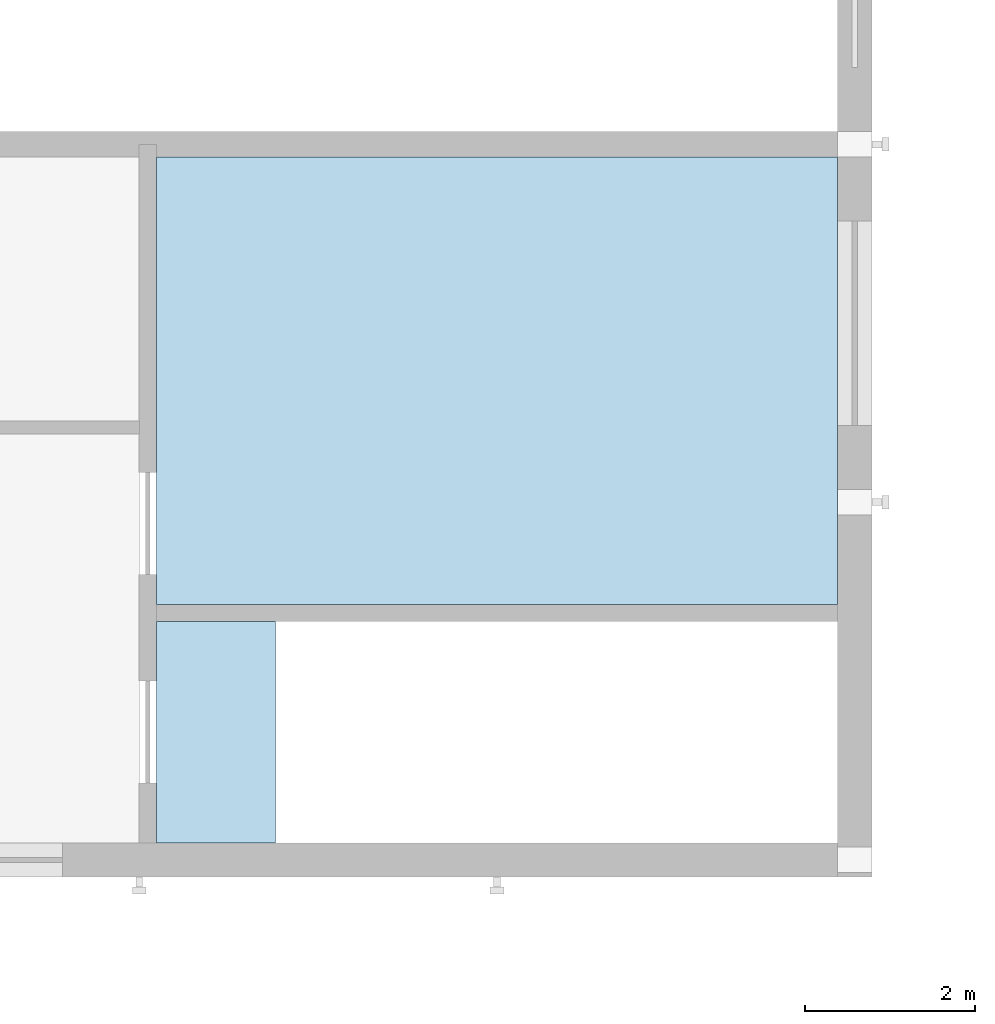
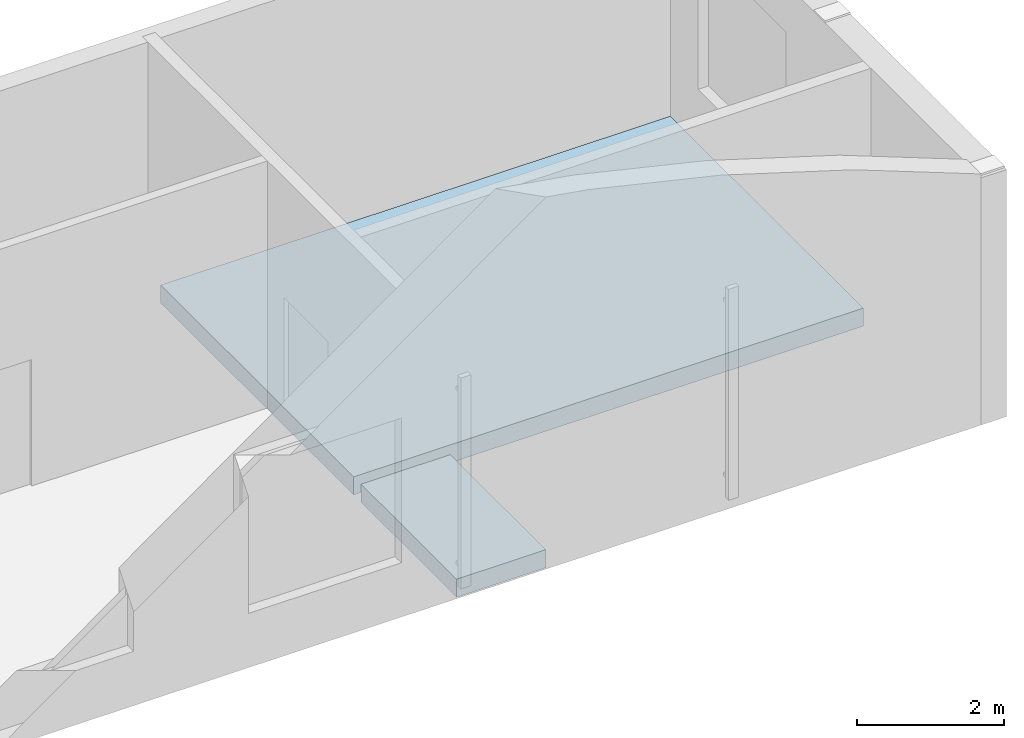
# One storey, part 65 of 127: 2 slabs.
"""IFC4 building model written with IfcOpenShell, lengths in metres."""

from ifc_helpers import new_model, si_unit, direction, frame, origin, place, context, subcontext, project, spatial, polyline, outline, extrude, material, layer, layer_set, type_object, element, save


model = new_model("IFC4")

# Units and contexts
model_context = context("Model", 3, precision=1e-05, world=origin(), true_north=direction((0.0, 1.0)))
body_context = subcontext(model_context, "Body", "Model", "MODEL_VIEW")
ifc_project = project(units=[si_unit("LENGTHUNIT", "METRE"), si_unit("AREAUNIT", "SQUARE_METRE"), si_unit("VOLUMEUNIT", "CUBIC_METRE"), si_unit("PLANEANGLEUNIT", "RADIAN"), si_unit("MASSUNIT", "GRAM", prefix="KILO")], contexts=[model_context])

# Site, building, storey
site_placement = place(None, origin())
site = spatial("IfcSite", under=ifc_project, at=site_placement, CompositionType="ELEMENT")
building_placement = place(site_placement, origin())
building = spatial("IfcBuilding", under=site, at=building_placement, Name="Ljudholm Concert House", CompositionType="ELEMENT")
storey_placement = place(building_placement, frame((0.0, 0.0, 5.39990234375)))
storey = spatial("IfcBuildingStorey", under=building, at=storey_placement, Name="L01", CompositionType="ELEMENT", Elevation=5.39990234375)

# Slabs
ifc_material = material(Name="Concrete 5,000 psi", Category="concrete")
ifc_layer = layer(ifc_material, 0.300048828125)
ifc_layer_set = layer_set([ifc_layer], Name="Concrete 5,000 psi")
slab_type = type_object("IfcSlabType", Name="RC FLOOR SLAB 300", PredefinedType="FLOOR", material=ifc_layer_set)
slab_1_placement = place(storey_placement, frame((0.0, 0.0, -0.2998046875)))
element("IfcSlab", 1, at=slab_1_placement, inside=storey, type_object=slab_type, Name="East mezzanine floor", PredefinedType="FLOOR", context=body_context, shape_type="SweptSolid", body=[
    extrude(outline(polyline([(79.800048828125, 149.800048828125), (87.800048828125, 149.800048828125), (87.800048828125, 155.050048828125), (79.800048828125, 155.050048828125), (79.800048828125, 149.800048828125)])), origin(), (0.0, 0.0, 1.0), 0.2998046875),
])
slab_2_placement = place(storey_placement, frame((0.0, 0.0, -0.2998046875)))
element("IfcSlab", 2, at=slab_2_placement, inside=storey, type_object=slab_type, Name="Stair arrival floor S2", PredefinedType="FLOOR", context=body_context, shape_type="SweptSolid", body=[
    extrude(outline(polyline([(79.800048828125, 147.0), (81.200439453125, 147.0), (81.200439453125, 149.60009765625), (79.800048828125, 149.60009765625), (79.800048828125, 147.0)])), origin(), (0.0, 0.0, 1.0), 0.2998046875),
])

save(model, "model.ifc")
